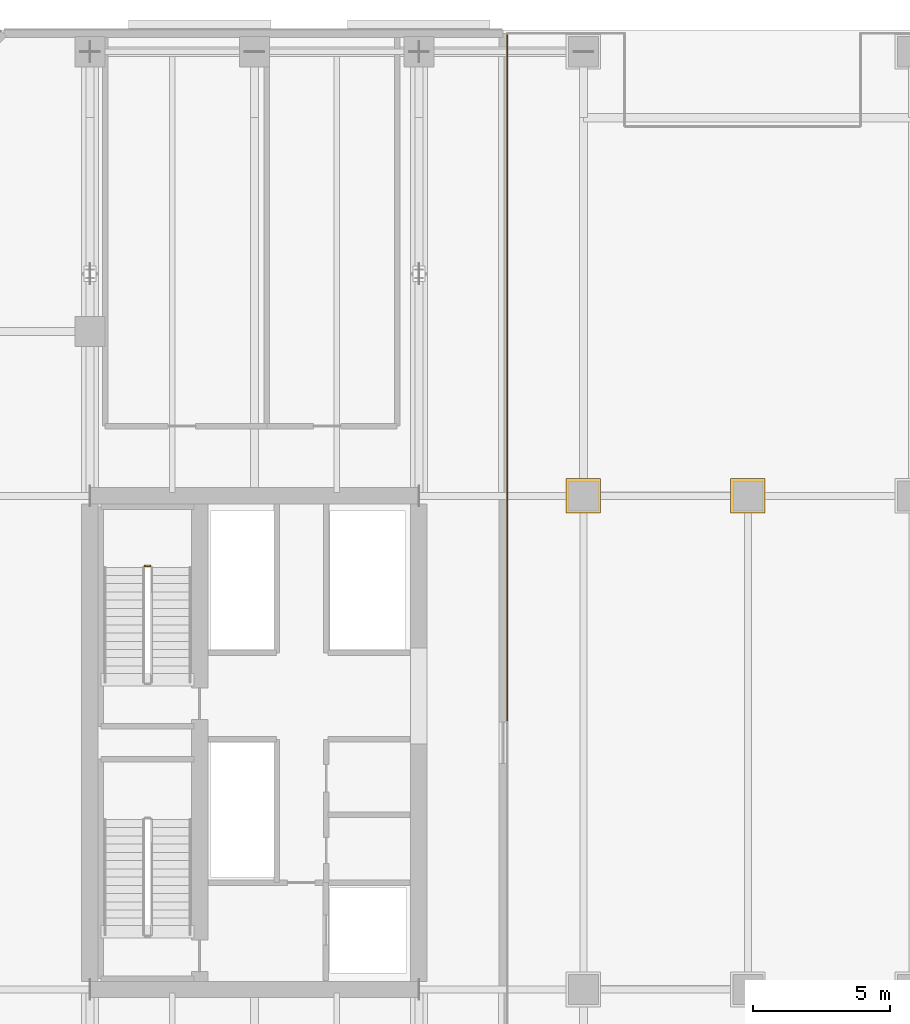
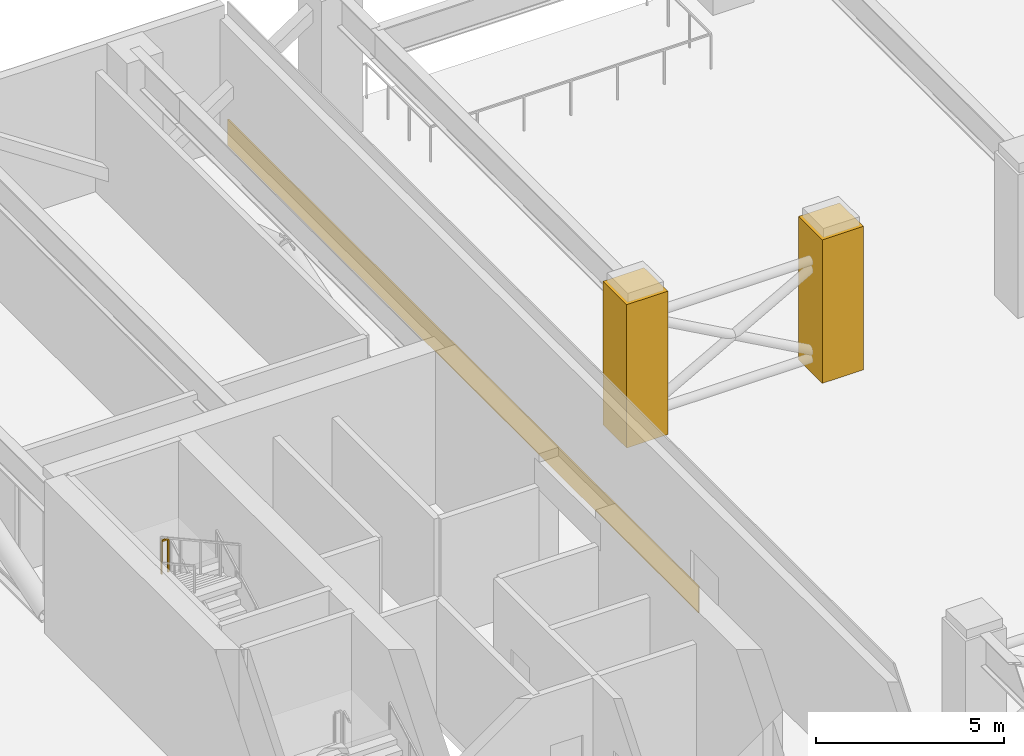
# One storey, part 18 of 22: 3 coverings, 1 railing.
"""IFC4 building model written with IfcOpenShell, lengths in metres."""

from ifc_helpers import new_model, si_unit, direction, frame, origin, origin_2d, place, context, subcontext, project, spatial, rectangle, extrude, material, layer, layer_set, type_object, element, save


model = new_model("IFC4")

# Units and contexts
model_context = context("Model", 3, precision=1e-05, world=origin(), true_north=direction((0.0, 1.0)))
body_context = subcontext(model_context, "Body", "Model", "MODEL_VIEW")
ifc_project = project(units=[si_unit("LENGTHUNIT", "METRE"), si_unit("AREAUNIT", "SQUARE_METRE"), si_unit("VOLUMEUNIT", "CUBIC_METRE"), si_unit("PLANEANGLEUNIT", "RADIAN"), si_unit("MASSUNIT", "GRAM", prefix="KILO")], contexts=[model_context])

# Site, building, storey
site_placement = place(None, origin())
site = spatial("IfcSite", under=ifc_project, at=site_placement, CompositionType="ELEMENT")
building_placement = place(site_placement, origin())
building = spatial("IfcBuilding", under=site, at=building_placement, Name="Tanjung Sevakor Pilgrim Tower", CompositionType="ELEMENT")
storey_placement = place(building_placement, frame((0.0, 0.0, 73.260009765625)))
storey = spatial("IfcBuildingStorey", under=building, at=storey_placement, Name="L20", CompositionType="ELEMENT", Elevation=73.260009765625)

# Coverings
ifc_material_1 = material(Name="Reconstructed Limestone Cladding", Category="masonry")
ifc_layer = layer(ifc_material_1, 0.044921875)
ifc_layer_set = layer_set([ifc_layer], Name="COV-CLAD-LIMESTONE")
covering_type = type_object("IfcCoveringType", Name="COV-CLAD-LIMESTONE", PredefinedType="CLADDING", material=ifc_layer_set)
covering_placement = place(storey_placement, frame((39.222412109375, 46.9150390625, 0.009765625), z_axis=(0.0, 0.0, 1.0), x_axis=(0.0, 1.0, 0.0)))
element("IfcCovering", 1, at=covering_placement, inside=storey, type_object=covering_type, Name="L20 Warm Limestone Sill Spandrel EW-RFW-L20-2-2", PredefinedType="CLADDING", context=body_context, shape_type="SweptSolid", body=[
    extrude(rectangle(XDim=25.010009765625, YDim=0.044921875, at=origin_2d()), origin(), (0.0, 0.0, 1.0), 0.840087890625),
])
for number, where, z_axis, x_axis, name in (
    (2, (42.0, 42.60009765625, 0.010009765625), (0.0, 0.0, 1.0), (1.0, 0.0, 0.0), "L20 Portal Colonnade Limestone Casing 04"),
    (3, (48.0, 42.60009765625, 0.010009765625), (0.0, 0.0, 1.0), (1.0, 0.0, 0.0), "L20 Portal Colonnade Limestone Casing 06"),
):
    element("IfcCovering", number, at=place(storey_placement, frame(where, z_axis=z_axis, x_axis=x_axis)), inside=storey, type_object=covering_type, Name=name, PredefinedType="CLADDING", context=body_context, shape_type="SweptSolid", body=[
        extrude(rectangle(XDim=1.260009765625, YDim=1.260009765625, at=origin_2d()), origin(), (0.0, 0.0, 1.0), 4.64990234375),
    ])

# Railing
ifc_material_2 = material(Name="Steel S355J2", Category="steel")
railing_type = type_object("IfcRailingType", Name="RL-STAIR-GUARD", PredefinedType="GUARDRAIL", material=ifc_material_2)
railing_placement = place(storey_placement, frame((26.199951171875, 40.050048828125, 2.47509765625)))
element("IfcRailing", 4, at=railing_placement, inside=storey, type_object=railing_type, Name="L20 TS-W2 stair guard 2", PredefinedType="GUARDRAIL", context=body_context, shape_type="SweptSolid", body=[
    extrude(rectangle(XDim=0.0479, YDim=0.0479), frame((0.0, 0.0, 1.076171875), z_axis=(-1.0, 0.0, 0.0), x_axis=(0.0, -1.0, 0.0)), (0.0, 0.0, 1.0), 0.199951171875),
    extrude(rectangle(XDim=0.042, YDim=0.042), origin(), (0.0, 0.0, 1.0), 1.052001953125),
    extrude(rectangle(XDim=0.042, YDim=0.042), frame((-0.199951171875, 0.0, 0.0)), (0.0, 0.0, 1.0), 1.052001953125),
])

save(model, "model.ifc")
